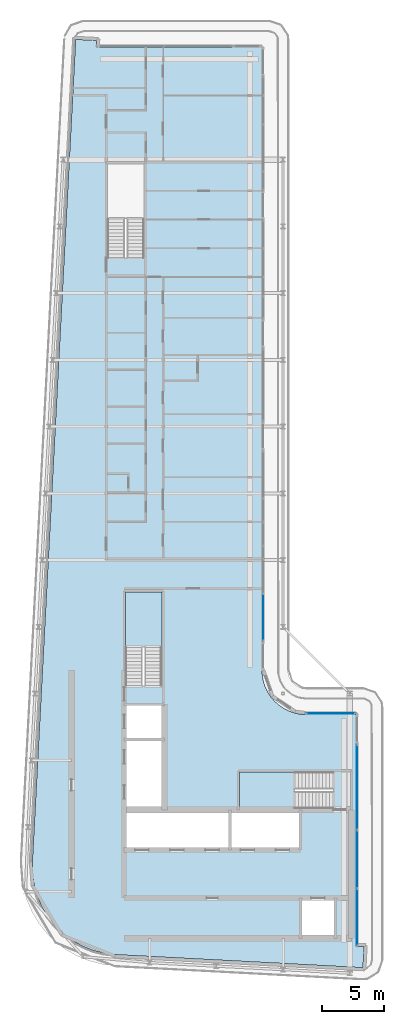
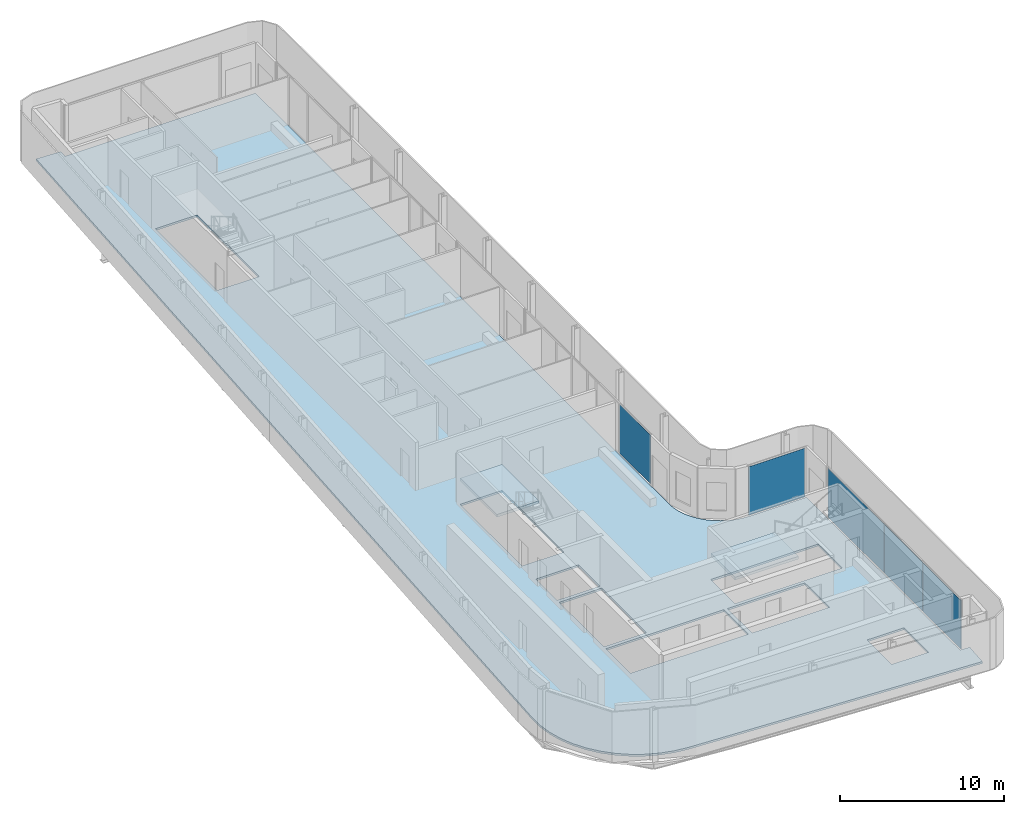
# One storey, part 7 of 18: 5 plates, 3 slabs, 6 elements without a shape of their own.
"""IFC4 building model written with IfcOpenShell, lengths in metres."""

from ifc_helpers import new_model, si_unit, direction, frame, origin, origin_2d, place, context, subcontext, project, spatial, polyline, rectangle, outline, extrude, material, layer, layer_set, type_object, element, aggregate, save


model = new_model("IFC4")

# Units and contexts
model_context = context("Model", 3, precision=1e-05, world=origin(), true_north=direction((0.0, 1.0)))
body_context = subcontext(model_context, "Body", "Model", "MODEL_VIEW")
ifc_project = project(units=[si_unit("LENGTHUNIT", "METRE"), si_unit("AREAUNIT", "SQUARE_METRE"), si_unit("VOLUMEUNIT", "CUBIC_METRE"), si_unit("PLANEANGLEUNIT", "RADIAN"), si_unit("MASSUNIT", "GRAM", prefix="KILO")], contexts=[model_context])

# Site, building, storey
site_placement = place(None, origin())
site = spatial("IfcSite", under=ifc_project, at=site_placement, CompositionType="ELEMENT")
building_placement = place(site_placement, origin())
building = spatial("IfcBuilding", under=site, at=building_placement, Name="Kheshtan School and Residences Tower", CompositionType="ELEMENT")
storey_placement = place(building_placement, frame((0.0, 0.0, 381.199951171875)))
storey = spatial("IfcBuildingStorey", under=building, at=storey_placement, Name="L90", CompositionType="ELEMENT", Elevation=381.199951171875)

# Curtain wall, plate
ifc_material_1 = material(Name="Clear low-e glass in thermally broken aluminium frame", Category="aluminium")
ifc_layer_1 = layer(ifc_material_1, 0.199951171875)
ifc_layer_set_1 = layer_set([ifc_layer_1], Name="Curtain wall CW-B")
curtain_wall_type_1 = type_object("IfcCurtainWallType", Name="Curtain wall CW-B", PredefinedType="NOTDEFINED", material=ifc_layer_set_1)
curtain_wall_1_placement = place(storey_placement, origin())
curtain_wall_1 = element("IfcCurtainWall", 1, at=curtain_wall_1_placement, inside=storey, type_object=curtain_wall_type_1, Name="Curtain wall CWB12", PredefinedType="NOTDEFINED")
ifc_layer_2 = layer(ifc_material_1, 0.031982421875)
ifc_layer_set_2 = layer_set([ifc_layer_2], Name="CW-B glass panel")
plate_type_1 = type_object("IfcPlateType", Name="CW-B glass panel", PredefinedType="CURTAIN_PANEL", material=ifc_layer_set_2)
plate_1_placement = place(storey_placement, frame((51.465087890625, 44.0, 0.0), z_axis=(0.0, 0.0, 1.0), x_axis=(1.0, 0.0, 0.0)))
plate_1 = element("IfcPlate", 2, at=plate_1_placement, type_object=plate_type_1, Name="CWB12 panel 1.1", PredefinedType="CURTAIN_PANEL", context=body_context, shape_type="SweptSolid", body=[
    extrude(rectangle(XDim=3.949951171875, YDim=0.031982421875, at=origin_2d()), origin(), (0.0, 0.0, 1.0), 3.6298828125),
])
aggregate(curtain_wall_1, [plate_1])

ifc_layer_3 = layer(ifc_material_1, 0.199951171875)
ifc_layer_set_3 = layer_set([ifc_layer_3], Name="Curtain wall CW-L")
curtain_wall_type_2 = type_object("IfcCurtainWallType", Name="Curtain wall CW-L", PredefinedType="NOTDEFINED", material=ifc_layer_set_3)
curtain_wall_2_placement = place(storey_placement, origin())
curtain_wall_2 = element("IfcCurtainWall", 3, at=curtain_wall_2_placement, inside=storey, type_object=curtain_wall_type_2, Name="Curtain wall CWL8c", PredefinedType="NOTDEFINED")
ifc_layer_4 = layer(ifc_material_1, 0.031982421875)
ifc_layer_set_4 = layer_set([ifc_layer_4], Name="CW-L glass panel")
plate_type_2 = type_object("IfcPlateType", Name="CW-L glass panel", PredefinedType="CURTAIN_PANEL", material=ifc_layer_set_4)
plate_2_placement = place(storey_placement, frame((46.0, 51.7685546875, 0.0), z_axis=(0.0, 0.0, 1.0), x_axis=(0.0, -1.0, 0.0)))
plate_2 = element("IfcPlate", 4, at=plate_2_placement, type_object=plate_type_2, Name="CWL8c panel 3.1", PredefinedType="CURTAIN_PANEL", context=body_context, shape_type="SweptSolid", body=[
    extrude(rectangle(XDim=3.757080078125, YDim=0.031982421875, at=origin_2d()), origin(), (0.0, 0.0, 1.0), 3.6298828125),
])
aggregate(curtain_wall_2, [plate_2])

curtain_wall_3_placement = place(storey_placement, origin())
curtain_wall_3 = element("IfcCurtainWall", 5, at=curtain_wall_3_placement, inside=storey, type_object=curtain_wall_type_2, Name="Curtain wall CWL13h", PredefinedType="NOTDEFINED")
plate_3_placement = place(storey_placement, frame((53.60009765625, 38.013916015625, 0.0), z_axis=(0.0, 0.0, 1.0), x_axis=(0.0, -1.0, 0.0)))
plate_3 = element("IfcPlate", 6, at=plate_3_placement, type_object=plate_type_2, Name="CWL13h panel 1.1", PredefinedType="CURTAIN_PANEL", context=body_context, shape_type="SweptSolid", body=[
    extrude(rectangle(XDim=6.85205078125, YDim=0.031982421875, at=origin_2d()), origin(), (0.0, 0.0, 1.0), 3.6298828125),
])
aggregate(curtain_wall_3, [plate_3])

# Curtain wall, plates
curtain_wall_4_placement = place(storey_placement, origin())
curtain_wall_4 = element("IfcCurtainWall", 7, at=curtain_wall_4_placement, inside=storey, type_object=curtain_wall_type_2, Name="Curtain wall CWL13i", PredefinedType="NOTDEFINED")
plate_4_placement = place(storey_placement, frame((53.60009765625, 32.199951171875, 0.0), z_axis=(0.0, 0.0, 1.0), x_axis=(0.0, -1.0, 0.0)))
plate_4 = element("IfcPlate", 8, at=plate_4_placement, type_object=plate_type_2, Name="CWL13i panel 1.1", PredefinedType="CURTAIN_PANEL", context=body_context, shape_type="SweptSolid", body=[
    extrude(rectangle(XDim=4.656005859375, YDim=0.031982421875, at=origin_2d()), origin(), (0.0, 0.0, 1.0), 3.6298828125),
])
plate_5_placement = place(storey_placement, frame((53.60009765625, 27.513916015625, 0.0), z_axis=(0.0, 0.0, 1.0), x_axis=(0.0, -1.0, 0.0)))
plate_5 = element("IfcPlate", 9, at=plate_5_placement, type_object=plate_type_2, Name="CWL13i panel 2.1", PredefinedType="CURTAIN_PANEL", context=body_context, shape_type="SweptSolid", body=[
    extrude(rectangle(XDim=4.595947265625, YDim=0.031982421875, at=origin_2d()), origin(), (0.0, 0.0, 1.0), 3.6298828125),
])
aggregate(curtain_wall_4, [plate_4, plate_5])

# Slab
ifc_material_2 = material(Name="Concrete C40/50", Category="concrete")
ifc_layer_5 = layer(ifc_material_2, 0.14990234375)
ifc_layer_set_5 = layer_set([ifc_layer_5], Name="Floor slab 150 Concrete C40/50")
slab_type_1 = type_object("IfcSlabType", Name="Floor slab 150 Concrete C40/50", PredefinedType="FLOOR", material=ifc_layer_set_5)
slab_1_placement = place(storey_placement, frame((0.0, 0.0, -0.14990234375)))
element("IfcSlab", 10, at=slab_1_placement, inside=storey, type_object=slab_type_1, Name="Floor slab L90", PredefinedType="FLOOR", context=body_context, shape_type="SweptSolid", body=[
    extrude(outline(polyline([(28.55908203125, 27.550048828125), (28.0849609375, 28.345947265625), (27.718017578125, 29.200927734375), (27.466064453125, 30.093017578125), (27.466064453125, 30.093994140625), (27.3330078125, 31.013916015625), (27.320068359375, 31.965087890625), (27.320068359375, 31.970947265625), (30.822021484375, 98.5009765625), (30.822998046875, 98.508056640625), (30.825927734375, 98.531005859375), (30.825927734375, 98.531982421875), (30.826904296875, 98.531982421875), (31.422119140625, 98.5), (31.423095703125, 98.5), (31.423095703125, 98.4990234375), (31.423095703125, 98.4951171875), (31.423095703125, 98.493896484375), (31.424072265625, 98.493896484375), (31.424072265625, 98.492919921875), (31.425048828125, 98.492919921875), (31.426025390625, 98.492919921875), (31.426025390625, 98.493896484375), (31.427978515625, 98.49609375), (31.428955078125, 98.4970703125), (31.429931640625, 98.498046875), (31.430908203125, 98.498046875), (31.430908203125, 98.4990234375), (31.431884765625, 98.4990234375), (31.431884765625, 98.5), (31.43505859375, 98.5009765625), (31.43603515625, 98.501953125), (31.43896484375, 98.501953125), (31.43994140625, 98.501953125), (31.43994140625, 98.5029296875), (31.44091796875, 98.5029296875), (31.446044921875, 98.5029296875), (32.5009765625, 98.447021484375), (32.50390625, 98.447021484375), (32.5048828125, 98.447021484375), (32.5048828125, 98.446044921875), (32.506103515625, 98.446044921875), (32.510009765625, 98.446044921875), (32.510009765625, 98.445068359375), (32.510986328125, 98.445068359375), (32.510986328125, 98.444091796875), (32.511962890625, 98.444091796875), (32.511962890625, 98.443115234375), (32.512939453125, 98.443115234375), (32.513916015625, 98.443115234375), (32.513916015625, 98.44189453125), (32.514892578125, 98.44189453125), (32.51611328125, 98.44189453125), (32.51904296875, 98.43896484375), (32.51904296875, 98.43798828125), (32.51904296875, 98.43701171875), (32.52001953125, 98.43701171875), (32.52001953125, 98.43603515625), (32.52099609375, 98.43603515625), (32.52099609375, 98.43408203125), (32.52099609375, 98.43310546875), (32.52197265625, 98.43310546875), (32.52197265625, 98.431884765625), (32.52294921875, 98.431884765625), (32.52294921875, 98.430908203125), (32.52294921875, 98.428955078125), (32.52294921875, 98.427978515625), (32.52392578125, 98.427978515625), (32.52392578125, 98.427001953125), (32.52392578125, 98.422119140625), (32.4970703125, 97.9208984375), (32.4970703125, 97.91796875), (32.4970703125, 97.9169921875), (32.49609375, 97.9169921875), (32.49609375, 97.916015625), (32.49609375, 97.912109375), (32.4951171875, 97.910888671875), (32.4951171875, 97.909912109375), (32.493896484375, 97.909912109375), (32.493896484375, 97.908935546875), (32.492919921875, 97.908935546875), (32.492919921875, 97.907958984375), (32.489013671875, 97.904052734375), (32.488037109375, 97.904052734375), (32.488037109375, 97.903076171875), (32.488037109375, 97.902099609375), (32.488037109375, 97.90087890625), (32.489013671875, 97.90087890625), (32.489013671875, 97.89990234375), (32.489990234375, 97.89990234375), (45.85498046875, 97.89990234375), (45.864990234375, 97.89794921875), (45.865966796875, 97.89794921875), (45.868896484375, 97.89599609375), (45.8740234375, 97.89404296875), (45.8779296875, 97.89208984375), (45.881103515625, 97.889892578125), (45.881103515625, 97.888916015625), (45.882080078125, 97.888916015625), (45.882080078125, 97.887939453125), (45.883056640625, 97.887939453125), (45.884033203125, 97.885009765625), (45.885009765625, 97.885009765625), (45.885009765625, 97.884033203125), (45.887939453125, 97.883056640625), (45.887939453125, 97.882080078125), (45.888916015625, 97.882080078125), (45.888916015625, 97.881103515625), (45.889892578125, 97.881103515625), (45.89208984375, 97.8779296875), (45.89404296875, 97.8740234375), (45.89599609375, 97.868896484375), (45.89794921875, 97.865966796875), (45.89794921875, 97.864990234375), (45.89990234375, 97.85498046875), (45.89990234375, 47.429931640625), (45.927001953125, 47.030029296875), (46.01806640625, 46.570068359375), (46.01806640625, 46.569091796875), (46.169921875, 46.1201171875), (46.37890625, 45.697021484375), (46.638916015625, 45.30810546875), (46.949951171875, 44.950927734375), (46.950927734375, 44.949951171875), (47.30810546875, 44.638916015625), (47.697021484375, 44.37890625), (48.1201171875, 44.169921875), (48.569091796875, 44.01806640625), (48.570068359375, 44.01806640625), (49.030029296875, 43.927001953125), (49.429931640625, 43.89990234375), (53.455078125, 43.89990234375), (53.465087890625, 43.89794921875), (53.466064453125, 43.89794921875), (53.468994140625, 43.89599609375), (53.47412109375, 43.89404296875), (53.47802734375, 43.89208984375), (53.48095703125, 43.889892578125), (53.48095703125, 43.888916015625), (53.48193359375, 43.888916015625), (53.48193359375, 43.887939453125), (53.48291015625, 43.887939453125), (53.48388671875, 43.885009765625), (53.485107421875, 43.885009765625), (53.485107421875, 43.884033203125), (53.488037109375, 43.883056640625), (53.488037109375, 43.882080078125), (53.489013671875, 43.882080078125), (53.489013671875, 43.881103515625), (53.489990234375, 43.881103515625), (53.491943359375, 43.8779296875), (53.493896484375, 43.8740234375), (53.49609375, 43.868896484375), (53.498046875, 43.865966796875), (53.498046875, 43.864990234375), (53.4990234375, 43.860107421875), (53.5, 43.85498046875), (53.5, 25.15087890625), (53.5, 25.14990234375), (53.5009765625, 25.14990234375), (53.5009765625, 25.14892578125), (53.501953125, 25.14892578125), (53.5029296875, 25.14892578125), (53.5029296875, 25.14990234375), (53.506103515625, 25.153076171875), (53.507080078125, 25.154052734375), (53.508056640625, 25.154052734375), (53.508056640625, 25.155029296875), (53.509033203125, 25.155029296875), (53.509033203125, 25.156005859375), (53.512939453125, 25.157958984375), (53.51611328125, 25.157958984375), (53.51708984375, 25.157958984375), (53.51708984375, 25.158935546875), (53.51806640625, 25.158935546875), (53.52294921875, 25.158935546875), (54.137939453125, 25.1259765625), (54.14111328125, 25.1259765625), (54.14208984375, 25.1259765625), (54.14208984375, 25.125), (54.14306640625, 25.125), (54.14697265625, 25.125), (54.14697265625, 25.1240234375), (54.14794921875, 25.1240234375), (54.14794921875, 25.123046875), (54.14892578125, 25.123046875), (54.14892578125, 25.1220703125), (54.14990234375, 25.1220703125), (54.15087890625, 25.1220703125), (54.15087890625, 25.12109375), (54.152099609375, 25.12109375), (54.153076171875, 25.12109375), (54.156005859375, 25.117919921875), (54.156005859375, 25.116943359375), (54.156005859375, 25.115966796875), (54.156982421875, 25.115966796875), (54.156982421875, 25.114990234375), (54.157958984375, 25.114990234375), (54.157958984375, 25.113037109375), (54.157958984375, 25.112060546875), (54.158935546875, 25.112060546875), (54.158935546875, 25.111083984375), (54.159912109375, 25.111083984375), (54.159912109375, 25.110107421875), (54.159912109375, 25.10791015625), (54.159912109375, 25.10693359375), (54.160888671875, 25.10693359375), (54.160888671875, 25.10595703125), (54.160888671875, 25.10107421875), (54.10498046875, 24.0439453125), (54.10498046875, 24.041015625), (54.10498046875, 24.0400390625), (54.10400390625, 24.0400390625), (54.10400390625, 24.0390625), (54.10400390625, 24.034912109375), (54.10302734375, 24.033935546875), (54.10302734375, 24.032958984375), (54.10205078125, 24.032958984375), (54.10205078125, 24.031982421875), (54.10107421875, 24.031982421875), (54.10107421875, 24.031005859375), (54.096923828125, 24.027099609375), (54.095947265625, 24.027099609375), (54.095947265625, 24.02587890625), (54.095947265625, 24.02490234375), (54.095947265625, 24.02392578125), (54.096923828125, 24.02392578125), (54.096923828125, 24.02294921875), (54.097900390625, 24.02294921875), (54.09912109375, 24.02294921875), (54.10009765625, 24.02294921875), (54.10009765625, 24.02197265625), (54.068115234375, 23.427001953125), (54.068115234375, 23.426025390625), (54.06689453125, 23.426025390625), (54.04296875, 23.425048828125), (54.0380859375, 23.425048828125), (34.056884765625, 24.47802734375), (33.114990234375, 24.590087890625), (32.215087890625, 24.819091796875), (32.214111328125, 24.819091796875), (31.35205078125, 25.1630859375), (30.541015625, 25.616943359375), (29.799072265625, 26.1708984375), (29.799072265625, 26.172119140625), (29.798095703125, 26.172119140625), (29.134033203125, 26.820068359375), (29.134033203125, 26.821044921875), (29.133056640625, 26.821044921875), (28.55908203125, 27.550048828125)]), holes=[polyline([(53.5009765625, 24.030029296875), (53.5, 24.030029296875), (53.5, 24.029052734375), (53.5, 24.02490234375), (53.5, 24.02392578125), (53.5009765625, 24.02392578125), (53.5009765625, 24.02294921875), (53.501953125, 24.02294921875), (53.506103515625, 24.02294921875), (53.507080078125, 24.02294921875), (53.507080078125, 24.02392578125), (53.508056640625, 24.02392578125), (53.508056640625, 24.02490234375), (53.508056640625, 24.02587890625), (53.507080078125, 24.02587890625), (53.50390625, 24.029052734375), (53.5029296875, 24.030029296875), (53.5029296875, 24.031005859375), (53.501953125, 24.031005859375), (53.5009765625, 24.031005859375), (53.5009765625, 24.030029296875)]), polyline([(31.424072265625, 97.906982421875), (31.423095703125, 97.906982421875), (31.423095703125, 97.906005859375), (31.423095703125, 97.902099609375), (31.423095703125, 97.90087890625), (31.424072265625, 97.90087890625), (31.424072265625, 97.89990234375), (31.425048828125, 97.89990234375), (31.428955078125, 97.89990234375), (31.429931640625, 97.89990234375), (31.429931640625, 97.90087890625), (31.430908203125, 97.90087890625), (31.430908203125, 97.902099609375), (31.430908203125, 97.903076171875), (31.429931640625, 97.903076171875), (31.428955078125, 97.904052734375), (31.427978515625, 97.905029296875), (31.427001953125, 97.906005859375), (31.426025390625, 97.906982421875), (31.426025390625, 97.907958984375), (31.425048828125, 97.907958984375), (31.424072265625, 97.907958984375), (31.424072265625, 97.906982421875)]), polyline([(51.72509765625, 28.925048828125), (49.125, 28.925048828125), (49.125, 25.925048828125), (51.72509765625, 25.925048828125), (51.72509765625, 28.925048828125)]), polyline([(43.175048828125, 33.074951171875), (43.175048828125, 36.074951171875), (34.875, 36.074951171875), (34.875, 33.074951171875), (43.175048828125, 33.074951171875)]), polyline([(43.425048828125, 36.074951171875), (43.425048828125, 33.074951171875), (48.875, 33.074951171875), (48.875, 36.074951171875), (43.425048828125, 36.074951171875)]), polyline([(51.64990234375, 37.699951171875), (51.64990234375, 39.25), (44.090087890625, 39.25), (44.090087890625, 36.300048828125), (51.639892578125, 36.300048828125), (51.639892578125, 37.699951171875), (51.64990234375, 37.699951171875)]), polyline([(37.875, 41.77490234375), (34.875, 41.77490234375), (34.875, 36.324951171875), (37.875, 36.324951171875), (37.875, 41.77490234375)]), polyline([(37.875, 44.625), (34.875, 44.625), (34.875, 42.02490234375), (37.875, 42.02490234375), (37.875, 44.625)]), polyline([(37.800048828125, 53.81005859375), (34.85009765625, 53.81005859375), (34.85009765625, 46.260009765625), (36.25, 46.260009765625), (36.25, 46.25), (37.800048828125, 46.25), (37.800048828125, 53.81005859375)]), polyline([(36.35009765625, 88.4599609375), (33.39990234375, 88.4599609375), (33.39990234375, 80.909912109375), (34.800048828125, 80.909912109375), (34.800048828125, 80.89990234375), (36.35009765625, 80.89990234375), (36.35009765625, 88.4599609375)])]), origin(), (0.0, 0.0, 1.0), 0.14990234375),
])

# Stair, slab
stair_type = type_object("IfcStairType", Name="Exit stair, half-turn", PredefinedType="HALF_TURN_STAIR", material=ifc_material_2)
stair_1_placement = place(storey_placement, origin())
stair_1 = element("IfcStair", 11, at=stair_1_placement, inside=storey, type_object=stair_type, Name="L90 Protected Exit Stair ST1", PredefinedType="HALF_TURN_STAIR")
ifc_layer_6 = layer(ifc_material_2, 0.199951171875)
ifc_layer_set_6 = layer_set([ifc_layer_6], Name="Stair landing 200 Concrete C40/50")
slab_type_2 = type_object("IfcSlabType", Name="Stair landing 200 Concrete C40/50", PredefinedType="LANDING", material=ifc_layer_set_6)
slab_2_placement = place(storey_placement, frame((0.0, 0.0, 1.75)))
slab_2 = element("IfcSlab", 12, at=slab_2_placement, type_object=slab_type_2, Name="ST1 landing 1", PredefinedType="LANDING", context=body_context, shape_type="SweptSolid", body=[
    extrude(outline(polyline([(48.570068359375, 39.25), (44.090087890625, 39.25), (44.090087890625, 36.300048828125), (48.570068359375, 36.300048828125), (48.570068359375, 39.25)])), origin(), (0.0, 0.0, 1.0), 0.199951171875),
])
aggregate(stair_1, [slab_2])

stair_2_placement = place(storey_placement, origin())
stair_2 = element("IfcStair", 13, at=stair_2_placement, inside=storey, type_object=stair_type, Name="L90 Protected Exit Stair ST2", PredefinedType="HALF_TURN_STAIR")
slab_3_placement = place(storey_placement, frame((0.0, 0.0, 1.75)))
slab_3 = element("IfcSlab", 14, at=slab_3_placement, type_object=slab_type_2, Name="ST2 landing 1", PredefinedType="LANDING", context=body_context, shape_type="SweptSolid", body=[
    extrude(outline(polyline([(37.800048828125, 49.330078125), (37.800048828125, 53.81005859375), (34.85009765625, 53.81005859375), (34.85009765625, 49.330078125), (37.800048828125, 49.330078125)])), origin(), (0.0, 0.0, 1.0), 0.199951171875),
])
aggregate(stair_2, [slab_3])

save(model, "model.ifc")
